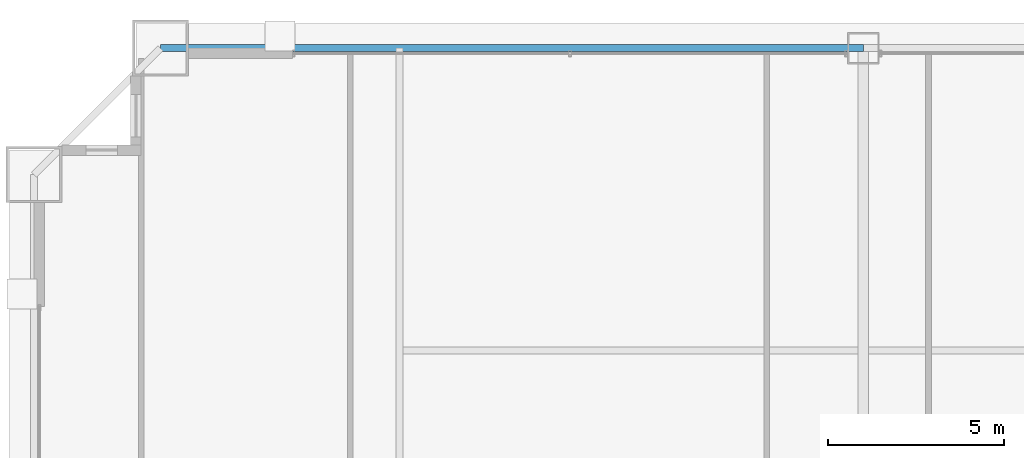
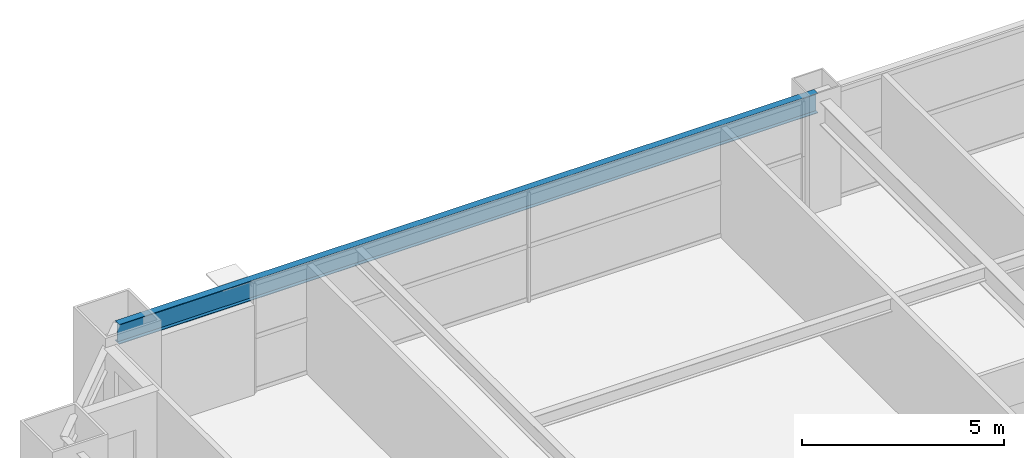
# One storey, part 23 of 38: 1 beam.
"""IFC4 building model written with IfcOpenShell, lengths in metres."""

import ifcopenshell
import ifcopenshell.guid

model = None  # the IFC model being written
_history = None  # IfcOwnerHistory: only IFC2X3 demands one
_inside = {}  # id of a spatial element -> (the spatial element, [elements in it])
_under = {}  # id of a project, library or spatial element -> (it, [spatial elements below it])
_declared = {}  # id of a project -> (the project, [libraries it declares])
_typed = {}  # id of a type object -> (the type object, [elements of that type])
_made_of = {}  # id of a material, layer set ... -> (it, [elements and type objects made of it])


def new_model(schema):
    """Start an empty IFC model of exactly this schema.

    Asked for "IFC4X3", IfcOpenShell would pick the latest addendum, in which some entities
    have other attributes; the version numbers below select the first issue.
    IFC2X3 requires an IfcOwnerHistory on every rooted entity: one is made here for all.
    """
    global model, _history
    if schema == "IFC4X3":
        model = ifcopenshell.file(schema_version=(4, 3, 0, 0))
    else:
        model = ifcopenshell.file(schema=schema)
    _inside.clear()
    _under.clear()
    _declared.clear()
    _typed.clear()
    _made_of.clear()
    _history = None
    if model.schema == "IFC2X3":
        org = make("IfcOrganization", Name="unknown")
        user = make(
            "IfcPersonAndOrganization",
            ThePerson=make("IfcPerson", FamilyName="unknown"),
            TheOrganization=org,
        )
        app = make(
            "IfcApplication",
            ApplicationDeveloper=org,
            Version="unknown",
            ApplicationFullName="unknown",
            ApplicationIdentifier="unknown",
        )
        _history = make(
            "IfcOwnerHistory",
            OwningUser=user,
            OwningApplication=app,
            ChangeAction="ADDED",
            CreationDate=0,
        )
    return model


def make(cls, **values):
    """One entity of the class cls with the attributes given. An attribute that is None is left unset."""
    return model.create_entity(
        cls, **{name: value for name, value in values.items() if value is not None}
    )


def rooted(cls, **values):
    """An entity with a GlobalId (a new one), such as an element, a storey or a relation."""
    return make(cls, GlobalId=ifcopenshell.guid.new(), OwnerHistory=_history, **values)


def si_unit(unit_type, name, prefix=None):
    """IfcSIUnit, for example si_unit("LENGTHUNIT", "METRE", prefix="MILLI")."""
    return make("IfcSIUnit", UnitType=unit_type, Prefix=prefix, Name=name)


def assignment(units):
    """IfcUnitAssignment: the units of a project."""
    return None if units is None else make("IfcUnitAssignment", Units=units)


def point(xyz):
    """IfcCartesianPoint."""
    return None if xyz is None else make("IfcCartesianPoint", Coordinates=xyz)


def direction(xyz):
    """IfcDirection."""
    return None if xyz is None else make("IfcDirection", DirectionRatios=xyz)


def frame(location, z_axis=None, x_axis=None):
    """IfcAxis2Placement3D, a coordinate frame: its origin and axes. An axis left out is left unset."""
    return make(
        "IfcAxis2Placement3D",
        Location=point(location),
        Axis=direction(z_axis),
        RefDirection=direction(x_axis),
    )


def frame_2d(location, x_axis=None):
    """IfcAxis2Placement2D, a coordinate frame in the plane: its origin and x axis."""
    return make(
        "IfcAxis2Placement2D", Location=point(location), RefDirection=direction(x_axis)
    )


def origin():
    """The frame at (0, 0, 0) with its axes left unset."""
    return frame((0.0, 0.0, 0.0))


def origin_2d():
    """The frame at (0, 0) in the plane with its x axis left unset."""
    return frame_2d((0.0, 0.0))


def place(relative_to, where):
    """IfcLocalPlacement: puts the frame where relative to a parent placement (None: the world)."""
    return make(
        "IfcLocalPlacement", PlacementRelTo=relative_to, RelativePlacement=where
    )


def context(
    kind, dimensions, precision=None, world=None, true_north=None, identifier=None
):
    """IfcGeometricRepresentationContext, for example the 3D "Model" context."""
    return make(
        "IfcGeometricRepresentationContext",
        ContextIdentifier=identifier,
        ContextType=kind,
        CoordinateSpaceDimension=dimensions,
        Precision=precision,
        WorldCoordinateSystem=world,
        TrueNorth=true_north,
    )


def subcontext(parent, identifier, kind, view, scale=None):
    """IfcGeometricRepresentationSubContext, for example "Body" below "Model"."""
    return make(
        "IfcGeometricRepresentationSubContext",
        ContextIdentifier=identifier,
        ContextType=kind,
        ParentContext=parent,
        TargetScale=scale,
        TargetView=view,
    )


def project(units=None, contexts=None):
    """IfcProject with its units and contexts."""
    return rooted(
        "IfcProject",
        Name="project",
        RepresentationContexts=contexts,
        UnitsInContext=assignment(units),
    )


def spatial(cls, under=None, at=None, **own):
    """A site, building, storey or space (cls), placed at a placement, below another one or the project."""
    s = rooted(cls, ObjectPlacement=at, **own)
    if under is not None:
        _under.setdefault(under.id(), (under, []))[1].append(s)
    return s


def profile(cls, at=None, kind="AREA", **sizes):
    """A parametric profile (cls). Its sizes go by their IFC names, for example OverallWidth=200.0."""
    return make(cls, ProfileType=kind, Position=at, **sizes)


def i_section(**sizes):
    """IfcIShapeProfileDef."""
    return profile("IfcIShapeProfileDef", **sizes)


def extrude(swept, where, along, depth):
    """IfcExtrudedAreaSolid: the profile swept, set in the frame where, extruded along a direction by depth."""
    return make(
        "IfcExtrudedAreaSolid",
        SweptArea=swept,
        Position=where,
        ExtrudedDirection=direction(along),
        Depth=depth,
    )


def shape(context_of_items, identifier, shape_type, items):
    """IfcShapeRepresentation: the items that make up one representation, for example the "Body"."""
    return make(
        "IfcShapeRepresentation",
        ContextOfItems=context_of_items,
        RepresentationIdentifier=identifier,
        RepresentationType=shape_type,
        Items=items,
    )


def source(mapping_origin, context_of_items, identifier, shape_type, items):
    """IfcRepresentationMap: a shape defined once, which mapped items show again and again."""
    return make(
        "IfcRepresentationMap",
        MappingOrigin=mapping_origin,
        MappedRepresentation=shape(context_of_items, identifier, shape_type, items),
    )


def transform(
    local_origin,
    x_axis=None,
    y_axis=None,
    z_axis=None,
    scale=None,
    scale2=None,
    scale3=None,
    uniform=True,
):
    """IfcCartesianTransformationOperator3D, or its non-uniform kind. x_axis, y_axis, z_axis: its Axis1, 2, 3."""
    if uniform:
        return make(
            "IfcCartesianTransformationOperator3D",
            Axis1=direction(x_axis),
            Axis2=direction(y_axis),
            LocalOrigin=point(local_origin),
            Scale=scale,
            Axis3=direction(z_axis),
        )
    return make(
        "IfcCartesianTransformationOperator3DnonUniform",
        Axis1=direction(x_axis),
        Axis2=direction(y_axis),
        LocalOrigin=point(local_origin),
        Scale=scale,
        Axis3=direction(z_axis),
        Scale2=scale2,
        Scale3=scale3,
    )


def mapped(mapping_source, mapping_target):
    """IfcMappedItem: shows the shape of a source again, moved by a transform."""
    return make(
        "IfcMappedItem", MappingSource=mapping_source, MappingTarget=mapping_target
    )


def material(Name=None, Category=None):
    """IfcMaterial."""
    return make("IfcMaterial", Name=Name, Category=Category)


def material_profile(
    of_material, cross_section, Name=None, Category=None, Priority=None
):
    """IfcMaterialProfile: a cross section and its material."""
    return make(
        "IfcMaterialProfile",
        Name=Name,
        Material=of_material,
        Profile=cross_section,
        Priority=Priority,
        Category=Category,
    )


def profile_set(profiles, Name=None, composite=None):
    """IfcMaterialProfileSet."""
    return make(
        "IfcMaterialProfileSet",
        Name=Name,
        MaterialProfiles=profiles,
        CompositeProfile=composite,
    )


def made_of(thing, what):
    """Note that an element or type object is made of a material, layer set ...; save() writes the relation."""
    if what is not None:
        _made_of.setdefault(what.id(), (what, []))[1].append(thing)
    return thing


def type_object(cls, material=None, **own):
    """A type object (cls), such as IfcWallType, which elements share."""
    return made_of(rooted(cls, **own), material)


def element(
    cls,
    number,
    at=None,
    inside=None,
    cuts=None,
    type_object=None,
    material=None,
    context=None,
    identifier="Body",
    shape_type=None,
    held_by="IfcProductDefinitionShape",
    body=None,
    shapes=None,
    **own,
):
    """One element of the class cls, such as IfcWall. Its Tag is "e" and its number.

    at: its placement. inside: the storey or other place that contains it. cuts: it is an
    opening in that element (IfcRelVoidsElement). A single representation is given by context,
    identifier, shape_type and body (its items); several are given by shapes. held_by: the class
    of the entity that holds the representations. save() writes the other relations.
    """
    e = rooted(cls, Tag="e%d" % number, ObjectPlacement=at, **own)
    if body is not None:
        shapes = [shape(context, identifier, shape_type, body)]
    if shapes is not None:
        e.Representation = make(held_by, Representations=shapes)
    if inside is not None:
        _inside.setdefault(inside.id(), (inside, []))[1].append(e)
    if cuts is not None:
        rooted(
            "IfcRelVoidsElement", RelatingBuildingElement=cuts, RelatedOpeningElement=e
        )
    if type_object is not None:
        _typed.setdefault(type_object.id(), (type_object, []))[1].append(e)
    return made_of(e, material)


def aggregate(whole, parts):
    """IfcRelAggregates: a whole, such as a stair, and the parts it consists of."""
    return rooted("IfcRelAggregates", RelatingObject=whole, RelatedObjects=parts)


def save(model, path):
    """Write the relations noted so far, then the file.

    IfcRelAggregates (storeys below a building ...), IfcRelContainedInSpatialStructure (elements
    in a storey), IfcRelDefinesByType, IfcRelAssociatesMaterial and IfcRelDeclares: one each for
    every whole, place, type object, material and project.
    """
    for whole, parts in _under.values():
        aggregate(whole, parts)
    for where, things in _inside.values():
        rooted(
            "IfcRelContainedInSpatialStructure",
            RelatedElements=things,
            RelatingStructure=where,
        )
    for kind, things in _typed.values():
        rooted("IfcRelDefinesByType", RelatedObjects=things, RelatingType=kind)
    for what, things in _made_of.values():
        rooted("IfcRelAssociatesMaterial", RelatedObjects=things, RelatingMaterial=what)
    for by, libraries in _declared.values():
        rooted("IfcRelDeclares", RelatingContext=by, RelatedDefinitions=libraries)
    model.write(path)


model = new_model("IFC4")

# Units and contexts
model_context = context("Model", 3, precision=1e-05, world=origin(), true_north=direction((0.0, 1.0)))
body_context = subcontext(model_context, "Body", "Model", "MODEL_VIEW")
ifc_project = project(units=[si_unit("LENGTHUNIT", "METRE"), si_unit("AREAUNIT", "SQUARE_METRE"), si_unit("VOLUMEUNIT", "CUBIC_METRE"), si_unit("PLANEANGLEUNIT", "RADIAN"), si_unit("MASSUNIT", "GRAM", prefix="KILO"), si_unit("THERMODYNAMICTEMPERATUREUNIT", "KELVIN"), si_unit("POWERUNIT", "WATT")], contexts=[model_context])

# Site, building, storey
site_placement = place(None, origin())
site = spatial("IfcSite", under=ifc_project, at=site_placement, CompositionType="ELEMENT")
building_placement = place(site_placement, origin())
building = spatial("IfcBuilding", under=site, at=building_placement, Name="Yuzanri Waterfront Tower", CompositionType="ELEMENT")
storey_placement = place(building_placement, frame((0.0, 0.0, 126.199951171875)))
storey = spatial("IfcBuildingStorey", under=building, at=storey_placement, Name="L33", CompositionType="ELEMENT", Elevation=126.199951171875)

# Beam
ifc_material = material(Name="Steel Q355B", Category="steel")
ifc_material_profile = material_profile(ifc_material, i_section(OverallWidth=0.199951171875, OverallDepth=0.60009765625, WebThickness=0.010986328125, FlangeThickness=0.01708984375, at=origin_2d()), Name="HN 600x200x11x17")
ifc_profile_set = profile_set([ifc_material_profile], Name="Steel Q355B")
beam_type = type_object("IfcBeamType", Name="Perimeter Spandrel Q355B HN 600x200", PredefinedType="SPANDREL", material=ifc_profile_set)
shared_shape = source(origin(), body_context, "Body", "SweptSolid", [
    extrude(i_section(OverallWidth=0.199951171875, OverallDepth=0.60009765625, WebThickness=0.010986328125, FlangeThickness=0.01708984375, at=origin_2d()), origin(), (0.0, 0.0, 1.0), 20.0),
])
beam_placement = place(storey_placement, frame((37.0, 49.39990234375, 3.02001953125), z_axis=(-1.0, 0.0, 0.0), x_axis=(0.0, -1.0, 0.0)))
element("IfcBeam", 1, at=beam_placement, inside=storey, type_object=beam_type, Name="L33 Perimeter Spandrel N2-N1", PredefinedType="SPANDREL", context=body_context, shape_type="MappedRepresentation", body=[
    mapped(shared_shape, transform((0.0, 0.0, 0.0), scale=1.0)),
])

save(model, "model.ifc")
